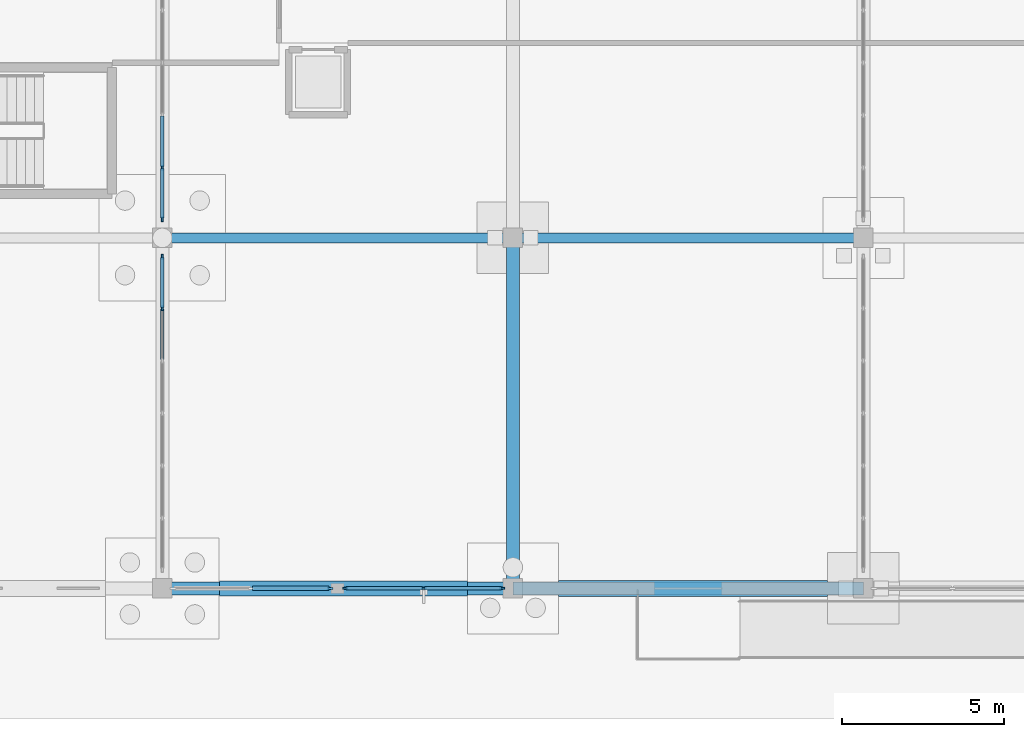
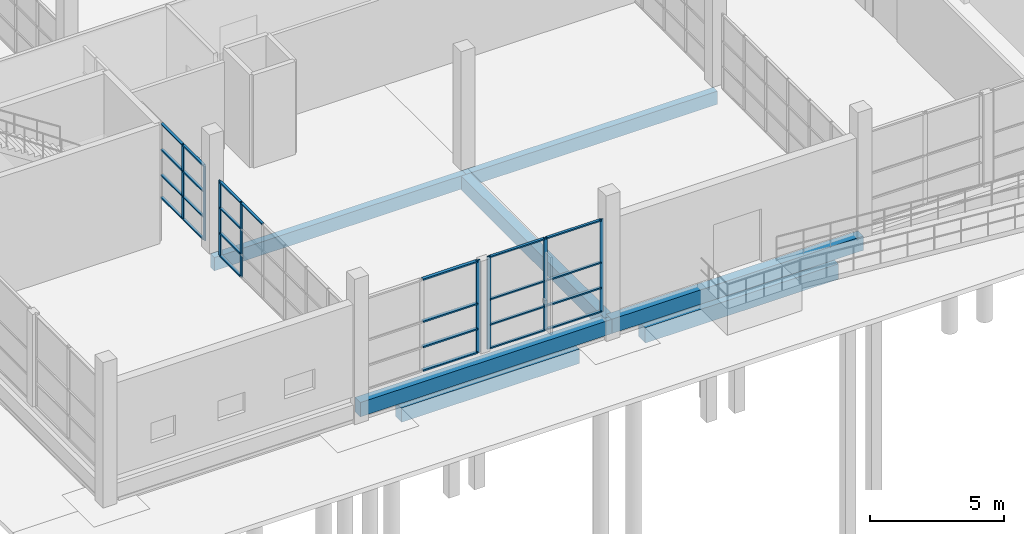
# One storey, part 16 of 138: 33 members, 7 beams, 4 elements without a shape of their own.
"""IFC4 building model written with IfcOpenShell, lengths in metres."""

from ifc_helpers import new_model, si_unit, direction, frame, origin, origin_2d, place, context, subcontext, project, spatial, rectangle, extrude, material, material_profile, profile_set, type_object, element, aggregate, save


model = new_model("IFC4")

# Units and contexts
model_context = context("Model", 3, precision=1e-05, world=origin(), true_north=direction((0.0, 1.0)))
body_context = subcontext(model_context, "Body", "Model", "MODEL_VIEW")
ifc_project = project(units=[si_unit("LENGTHUNIT", "METRE"), si_unit("AREAUNIT", "SQUARE_METRE"), si_unit("VOLUMEUNIT", "CUBIC_METRE"), si_unit("PLANEANGLEUNIT", "RADIAN"), si_unit("MASSUNIT", "GRAM", prefix="KILO")], contexts=[model_context])

# Site, building, storey
site_placement = place(None, origin())
site = spatial("IfcSite", under=ifc_project, at=site_placement, CompositionType="ELEMENT")
building_placement = place(site_placement, origin())
building = spatial("IfcBuilding", under=site, at=building_placement, Name="Zwinboog Wholesale Market", CompositionType="ELEMENT")
storey_placement = place(building_placement, origin())
storey = spatial("IfcBuildingStorey", under=building, at=storey_placement, Name="L00", CompositionType="ELEMENT", Elevation=0.0)

# Beams
ifc_material_1 = material(Name="Precast concrete C45/55", Category="concrete")
ifc_material_profile_1 = material_profile(ifc_material_1, rectangle(XDim=0.39990234375, YDim=0.64990234375, at=origin_2d()), Name="PC 400x650")
ifc_profile_set_1 = profile_set([ifc_material_profile_1], Name="Precast concrete C45/55")
beam_type_1 = type_object("IfcBeamType", Name="BT-05", PredefinedType="BEAM", material=ifc_profile_set_1)
beam_1_placement = place(storey_placement, frame((10.800048828125, 0.0, -0.680908203125), z_axis=(1.0, 0.0, 0.0), x_axis=(0.0, 1.0, 0.0)))
element("IfcBeam", 1, at=beam_1_placement, inside=storey, type_object=beam_type_1, Name="BG-05 (BMG-L00-0108-0000-0002)", PredefinedType="BEAM", context=body_context, shape_type="SweptSolid", body=[
    extrude(rectangle(XDim=0.39990234375, YDim=0.64990234375, at=origin_2d()), origin(), (0.0, 0.0, 1.0), 10.800048828125),
])
beam_2_placement = place(storey_placement, frame((21.60009765625, 0.0, -0.680908203125), z_axis=(1.0, 0.0, 0.0), x_axis=(0.0, 1.0, 0.0)))
element("IfcBeam", 2, at=beam_2_placement, inside=storey, type_object=beam_type_1, Name="BG-05 (BMG-L00-0216-0000-0003)", PredefinedType="BEAM", context=body_context, shape_type="SweptSolid", body=[
    extrude(rectangle(XDim=0.39990234375, YDim=0.64990234375, at=origin_2d()), origin(), (0.0, 0.0, 1.0), 10.7998046875),
])
beam_3_placement = place(storey_placement, frame((21.60009765625, 0.0, -0.680908203125), z_axis=(0.0, 1.0, 0.0), x_axis=(-1.0, 0.0, 0.0)))
element("IfcBeam", 3, at=beam_3_placement, inside=storey, type_object=beam_type_1, Name="BG-05 (BMG-L00-0216-0000-0235)", PredefinedType="BEAM", context=body_context, shape_type="SweptSolid", body=[
    extrude(rectangle(XDim=0.39990234375, YDim=0.64990234375, at=origin_2d()), origin(), (0.0, 0.0, 1.0), 10.800048828125),
])
ifc_material_profile_2 = material_profile(ifc_material_1, rectangle(XDim=0.300048828125, YDim=0.60009765625, at=origin_2d()), Name="PC 300x600")
ifc_profile_set_2 = profile_set([ifc_material_profile_2], Name="Precast concrete C45/55")
beam_type_2 = type_object("IfcBeamType", Name="BT-09", PredefinedType="SPANDREL", material=ifc_profile_set_2)
beam_4_placement = place(storey_placement, frame((10.800048828125, 10.800048828125, -0.656005859375), z_axis=(1.0, 0.0, 0.0), x_axis=(0.0, 1.0, 0.0)))
element("IfcBeam", 4, at=beam_4_placement, inside=storey, type_object=beam_type_2, Name="SP-02 (BMG-L00-0108-0108-0016)", PredefinedType="SPANDREL", context=body_context, shape_type="SweptSolid", body=[
    extrude(rectangle(XDim=0.300048828125, YDim=0.60009765625, at=origin_2d()), origin(), (0.0, 0.0, 1.0), 10.800048828125),
])
beam_5_placement = place(storey_placement, frame((21.60009765625, 10.800048828125, -0.656005859375), z_axis=(1.0, 0.0, 0.0), x_axis=(0.0, 1.0, 0.0)))
element("IfcBeam", 5, at=beam_5_placement, inside=storey, type_object=beam_type_2, Name="SP-02 (BMG-L00-0216-0108-0017)", PredefinedType="SPANDREL", context=body_context, shape_type="SweptSolid", body=[
    extrude(rectangle(XDim=0.300048828125, YDim=0.60009765625, at=origin_2d()), origin(), (0.0, 0.0, 1.0), 10.7998046875),
])
ifc_material_2 = material(Name="Concrete C35/45", Category="concrete")
ifc_material_profile_3 = material_profile(ifc_material_2, rectangle(XDim=0.5, YDim=0.699951171875, at=origin_2d()), Name="RC 500x700")
ifc_profile_set_3 = profile_set([ifc_material_profile_3], Name="Concrete C35/45")
beam_type_3 = type_object("IfcBeamType", Name="BT-12", PredefinedType="USERDEFINED", material=ifc_profile_set_3)
beam_6_placement = place(storey_placement, frame((23.0048828125, 0.0, -1.550048828125), z_axis=(1.0, 0.0, 0.0), x_axis=(0.0, 1.0, 0.0)))
element("IfcBeam", 6, at=beam_6_placement, inside=storey, type_object=beam_type_3, Name="GB-01 (BM-GB-0003)", ObjectType="GROUND_BEAM", PredefinedType="USERDEFINED", context=body_context, shape_type="SweptSolid", body=[
    extrude(rectangle(XDim=0.5, YDim=0.699951171875, at=origin_2d()), origin(), (0.0, 0.0, 1.0), 8.2900390625),
])
ifc_material_profile_4 = material_profile(ifc_material_2, rectangle(XDim=0.449951171875, YDim=0.64990234375, at=origin_2d()), Name="RC 450x650")
ifc_profile_set_4 = profile_set([ifc_material_profile_4], Name="Concrete C35/45")
beam_type_4 = type_object("IfcBeamType", Name="BT-13", PredefinedType="USERDEFINED", material=ifc_profile_set_4)
beam_7_placement = place(storey_placement, frame((12.554931640625, 0.0, -1.52490234375), z_axis=(1.0, 0.0, 0.0), x_axis=(0.0, 1.0, 0.0)))
element("IfcBeam", 7, at=beam_7_placement, inside=storey, type_object=beam_type_4, Name="GB-02 (BM-GB-0002)", ObjectType="GROUND_BEAM", PredefinedType="USERDEFINED", context=body_context, shape_type="SweptSolid", body=[
    extrude(rectangle(XDim=0.449951171875, YDim=0.64990234375, at=origin_2d()), origin(), (0.0, 0.0, 1.0), 7.64013671875),
])

# Curtain wall, member
ifc_material_3 = material(Name="Aluminium thermally broken curtain wall", Category="aluminium")
curtain_wall_type_1 = type_object("IfcCurtainWallType", Name="CWT-CAFE-22", PredefinedType="USERDEFINED", material=ifc_material_3)
curtain_wall_1_placement = place(storey_placement, origin())
curtain_wall_1 = element("IfcCurtainWall", 8, at=curtain_wall_1_placement, inside=storey, type_object=curtain_wall_type_1, Name="CW-05 (CW-L00-017)", ObjectType="STOREFRONT_GLAZING", PredefinedType="USERDEFINED")
ifc_material_4 = material(Name="Aluminium EN AW-6060", Category="aluminium")
ifc_material_profile_5 = material_profile(ifc_material_4, rectangle(XDim=0.06494140625, YDim=0.179931640625, at=origin_2d()), Name="AL 65x180")
ifc_profile_set_5 = profile_set([ifc_material_profile_5], Name="Aluminium EN AW-6060")
member_type_1 = type_object("IfcMemberType", Name="CWM-65x180", PredefinedType="MULLION", material=ifc_profile_set_5)
member_1_placement = place(storey_placement, frame((15.967529296875, 0.0, 0.0), z_axis=(0.0, 0.0, 1.0), x_axis=(0.0, 1.0, 0.0)))
member_1 = element("IfcMember", 9, at=member_1_placement, type_object=member_type_1, Name="CW-05 mullion 3", PredefinedType="MULLION", context=body_context, shape_type="SweptSolid", body=[
    extrude(rectangle(XDim=0.06494140625, YDim=0.179931640625, at=origin_2d()), origin(), (0.0, 0.0, 1.0), 4.197998046875),
])

# Curtain wall, members
curtain_wall_type_2 = type_object("IfcCurtainWallType", Name="CWT-OFF-15", PredefinedType="USERDEFINED", material=ifc_material_3)
curtain_wall_2_placement = place(storey_placement, origin())
curtain_wall_2 = element("IfcCurtainWall", 10, at=curtain_wall_2_placement, inside=storey, type_object=curtain_wall_type_2, Name="CW-06 (CW-L00-018)", ObjectType="UNITIZED_CURTAIN_WALL", PredefinedType="USERDEFINED")
ifc_material_profile_6 = material_profile(ifc_material_4, rectangle(XDim=0.06005859375, YDim=0.14990234375, at=origin_2d()), Name="AL 60x150")
ifc_profile_set_6 = profile_set([ifc_material_profile_6], Name="Aluminium EN AW-6060")
member_type_2 = type_object("IfcMemberType", Name="CWM-60x150", PredefinedType="MULLION", material=ifc_profile_set_6)
member_2_placement = place(storey_placement, frame((16.429931640625, 0.0, 0.0), z_axis=(0.0, 0.0, 1.0), x_axis=(0.0, 1.0, 0.0)))
member_2 = element("IfcMember", 11, at=member_2_placement, type_object=member_type_2, Name="CW-06 mullion 1", PredefinedType="MULLION", context=body_context, shape_type="SweptSolid", body=[
    extrude(rectangle(XDim=0.06005859375, YDim=0.14990234375, at=origin_2d()), origin(), (0.0, 0.0, 1.0), 4.197998046875),
])
member_3_placement = place(storey_placement, frame((18.8525390625, 0.0, 0.0), z_axis=(0.0, 0.0, 1.0), x_axis=(0.0, 1.0, 0.0)))
member_3 = element("IfcMember", 12, at=member_3_placement, type_object=member_type_2, Name="CW-06 mullion 2", PredefinedType="MULLION", context=body_context, shape_type="SweptSolid", body=[
    extrude(rectangle(XDim=0.06005859375, YDim=0.14990234375, at=origin_2d()), origin(), (0.0, 0.0, 1.0), 4.197998046875),
])
member_4_placement = place(storey_placement, frame((21.27490234375, 0.0, 0.0), z_axis=(0.0, 0.0, 1.0), x_axis=(0.0, 1.0, 0.0)))
member_4 = element("IfcMember", 13, at=member_4_placement, type_object=member_type_2, Name="CW-06 mullion 3", PredefinedType="MULLION", context=body_context, shape_type="SweptSolid", body=[
    extrude(rectangle(XDim=0.06005859375, YDim=0.14990234375, at=origin_2d()), origin(), (0.0, 0.0, 1.0), 4.197998046875),
])

# Member
ifc_material_profile_7 = material_profile(ifc_material_4, rectangle(XDim=0.139892578125, YDim=0.06494140625, at=origin_2d()), Name="AL 65x140")
ifc_profile_set_7 = profile_set([ifc_material_profile_7], Name="Aluminium EN AW-6060")
member_type_3 = type_object("IfcMemberType", Name="CWT-65x140", PredefinedType="USERDEFINED", material=ifc_profile_set_7)
member_5_placement = place(storey_placement, frame((13.580078125, 0.0, 0.032470703125), z_axis=(1.0, 0.0, 0.0), x_axis=(0.0, 1.0, 0.0)))
member_5 = element("IfcMember", 14, at=member_5_placement, type_object=member_type_3, Name="CW-05 transom 2.1", ObjectType="TRANSOM", PredefinedType="USERDEFINED", context=body_context, shape_type="SweptSolid", body=[
    extrude(rectangle(XDim=0.139892578125, YDim=0.06494140625, at=origin_2d()), origin(), (0.0, 0.0, 1.0), 2.35498046875),
])

member_6_placement = place(storey_placement, frame((13.580078125, 0.0, 1.10009765625), z_axis=(1.0, 0.0, 0.0), x_axis=(0.0, 1.0, 0.0)))
member_6 = element("IfcMember", 15, at=member_6_placement, type_object=member_type_3, Name="CW-05 transom 2.2", ObjectType="TRANSOM", PredefinedType="USERDEFINED", context=body_context, shape_type="SweptSolid", body=[
    extrude(rectangle(XDim=0.139892578125, YDim=0.06494140625, at=origin_2d()), origin(), (0.0, 0.0, 1.0), 2.35498046875),
])

member_7_placement = place(storey_placement, frame((13.580078125, 0.0, 2.25), z_axis=(1.0, 0.0, 0.0), x_axis=(0.0, 1.0, 0.0)))
member_7 = element("IfcMember", 16, at=member_7_placement, type_object=member_type_3, Name="CW-05 transom 2.3", ObjectType="TRANSOM", PredefinedType="USERDEFINED", context=body_context, shape_type="SweptSolid", body=[
    extrude(rectangle(XDim=0.139892578125, YDim=0.06494140625, at=origin_2d()), origin(), (0.0, 0.0, 1.0), 2.35498046875),
])

member_8_placement = place(storey_placement, frame((13.580078125, 0.0, 4.16552734375), z_axis=(1.0, 0.0, 0.0), x_axis=(0.0, 1.0, 0.0)))
member_8 = element("IfcMember", 17, at=member_8_placement, type_object=member_type_3, Name="CW-05 transom 2.4", ObjectType="TRANSOM", PredefinedType="USERDEFINED", context=body_context, shape_type="SweptSolid", body=[
    extrude(rectangle(XDim=0.139892578125, YDim=0.06494140625, at=origin_2d()), origin(), (0.0, 0.0, 1.0), 2.35498046875),
])

aggregate(curtain_wall_1, [member_1, member_5, member_6, member_7, member_8])

ifc_material_profile_8 = material_profile(ifc_material_4, rectangle(XDim=0.110107421875, YDim=0.06005859375, at=origin_2d()), Name="AL 60x110")
ifc_profile_set_8 = profile_set([ifc_material_profile_8], Name="Aluminium EN AW-6060")
member_type_4 = type_object("IfcMemberType", Name="CWT-60x110", PredefinedType="USERDEFINED", material=ifc_profile_set_8)
member_9_placement = place(storey_placement, frame((16.4599609375, 0.0, 0.030029296875), z_axis=(1.0, 0.0, 0.0), x_axis=(0.0, 1.0, 0.0)))
member_9 = element("IfcMember", 18, at=member_9_placement, type_object=member_type_4, Name="CW-06 transom 1.1", ObjectType="TRANSOM", PredefinedType="USERDEFINED", context=body_context, shape_type="SweptSolid", body=[
    extrude(rectangle(XDim=0.110107421875, YDim=0.06005859375, at=origin_2d()), origin(), (0.0, 0.0, 1.0), 2.362548828125),
])

member_10_placement = place(storey_placement, frame((16.4599609375, 0.0, 1.10009765625), z_axis=(1.0, 0.0, 0.0), x_axis=(0.0, 1.0, 0.0)))
member_10 = element("IfcMember", 19, at=member_10_placement, type_object=member_type_4, Name="CW-06 transom 1.2", ObjectType="TRANSOM", PredefinedType="USERDEFINED", context=body_context, shape_type="SweptSolid", body=[
    extrude(rectangle(XDim=0.110107421875, YDim=0.06005859375, at=origin_2d()), origin(), (0.0, 0.0, 1.0), 2.362548828125),
])

member_11_placement = place(storey_placement, frame((16.4599609375, 0.0, 2.25), z_axis=(1.0, 0.0, 0.0), x_axis=(0.0, 1.0, 0.0)))
member_11 = element("IfcMember", 20, at=member_11_placement, type_object=member_type_4, Name="CW-06 transom 1.3", ObjectType="TRANSOM", PredefinedType="USERDEFINED", context=body_context, shape_type="SweptSolid", body=[
    extrude(rectangle(XDim=0.110107421875, YDim=0.06005859375, at=origin_2d()), origin(), (0.0, 0.0, 1.0), 2.362548828125),
])

member_12_placement = place(storey_placement, frame((16.4599609375, 0.0, 4.16796875), z_axis=(1.0, 0.0, 0.0), x_axis=(0.0, 1.0, 0.0)))
member_12 = element("IfcMember", 21, at=member_12_placement, type_object=member_type_4, Name="CW-06 transom 1.4", ObjectType="TRANSOM", PredefinedType="USERDEFINED", context=body_context, shape_type="SweptSolid", body=[
    extrude(rectangle(XDim=0.110107421875, YDim=0.06005859375, at=origin_2d()), origin(), (0.0, 0.0, 1.0), 2.362548828125),
])

member_13_placement = place(storey_placement, frame((18.882568359375, 0.0, 0.030029296875), z_axis=(1.0, 0.0, 0.0), x_axis=(0.0, 1.0, 0.0)))
member_13 = element("IfcMember", 22, at=member_13_placement, type_object=member_type_4, Name="CW-06 transom 2.1", ObjectType="TRANSOM", PredefinedType="USERDEFINED", context=body_context, shape_type="SweptSolid", body=[
    extrude(rectangle(XDim=0.110107421875, YDim=0.06005859375, at=origin_2d()), origin(), (0.0, 0.0, 1.0), 2.362548828125),
])

member_14_placement = place(storey_placement, frame((18.882568359375, 0.0, 1.10009765625), z_axis=(1.0, 0.0, 0.0), x_axis=(0.0, 1.0, 0.0)))
member_14 = element("IfcMember", 23, at=member_14_placement, type_object=member_type_4, Name="CW-06 transom 2.2", ObjectType="TRANSOM", PredefinedType="USERDEFINED", context=body_context, shape_type="SweptSolid", body=[
    extrude(rectangle(XDim=0.110107421875, YDim=0.06005859375, at=origin_2d()), origin(), (0.0, 0.0, 1.0), 2.362548828125),
])

member_15_placement = place(storey_placement, frame((18.882568359375, 0.0, 2.25), z_axis=(1.0, 0.0, 0.0), x_axis=(0.0, 1.0, 0.0)))
member_15 = element("IfcMember", 24, at=member_15_placement, type_object=member_type_4, Name="CW-06 transom 2.3", ObjectType="TRANSOM", PredefinedType="USERDEFINED", context=body_context, shape_type="SweptSolid", body=[
    extrude(rectangle(XDim=0.110107421875, YDim=0.06005859375, at=origin_2d()), origin(), (0.0, 0.0, 1.0), 2.362548828125),
])

member_16_placement = place(storey_placement, frame((18.882568359375, 0.0, 4.16796875), z_axis=(1.0, 0.0, 0.0), x_axis=(0.0, 1.0, 0.0)))
member_16 = element("IfcMember", 25, at=member_16_placement, type_object=member_type_4, Name="CW-06 transom 2.4", ObjectType="TRANSOM", PredefinedType="USERDEFINED", context=body_context, shape_type="SweptSolid", body=[
    extrude(rectangle(XDim=0.110107421875, YDim=0.06005859375, at=origin_2d()), origin(), (0.0, 0.0, 1.0), 2.362548828125),
])

aggregate(curtain_wall_2, [member_2, member_3, member_4, member_9, member_10, member_11, member_12, member_13, member_14, member_15, member_16])

# Curtain wall, members
curtain_wall_type_3 = type_object("IfcCurtainWallType", Name="CWT-INT-STALL", PredefinedType="USERDEFINED", material=ifc_material_3)
curtain_wall_3_placement = place(storey_placement, origin())
curtain_wall_3 = element("IfcCurtainWall", 26, at=curtain_wall_3_placement, inside=storey, type_object=curtain_wall_type_3, Name="CW-07 (CW-STL-209)", ObjectType="STOREFRONT_GLAZING", PredefinedType="USERDEFINED")
ifc_material_profile_9 = material_profile(ifc_material_4, rectangle(XDim=0.06005859375, YDim=0.14990234375, at=origin_2d()), Name="AL 60x150")
ifc_profile_set_9 = profile_set([ifc_material_profile_9], Name="Aluminium EN AW-6060")
member_type_5 = type_object("IfcMemberType", Name="CWM-INT-60x120", PredefinedType="MULLION", material=ifc_profile_set_9)
member_17_placement = place(storey_placement, frame((10.800048828125, 8.63330078125, 0.0), z_axis=(0.0, 0.0, 1.0), x_axis=(-1.0, 0.0, 0.0)))
member_17 = element("IfcMember", 27, at=member_17_placement, type_object=member_type_5, Name="CW-07 mullion 6", PredefinedType="MULLION", context=body_context, shape_type="SweptSolid", body=[
    extrude(rectangle(XDim=0.06005859375, YDim=0.14990234375, at=origin_2d()), origin(), (0.0, 0.0, 1.0), 3.39990234375),
])
member_18_placement = place(storey_placement, frame((10.800048828125, 10.219970703125, 0.0), z_axis=(0.0, 0.0, 1.0), x_axis=(-1.0, 0.0, 0.0)))
member_18 = element("IfcMember", 28, at=member_18_placement, type_object=member_type_5, Name="CW-07 mullion 7", PredefinedType="MULLION", context=body_context, shape_type="SweptSolid", body=[
    extrude(rectangle(XDim=0.06005859375, YDim=0.14990234375, at=origin_2d()), origin(), (0.0, 0.0, 1.0), 3.39990234375),
])

curtain_wall_4_placement = place(storey_placement, origin())
curtain_wall_4 = element("IfcCurtainWall", 29, at=curtain_wall_4_placement, inside=storey, type_object=curtain_wall_type_3, Name="CW-07 (CW-STL-210)", ObjectType="STOREFRONT_GLAZING", PredefinedType="USERDEFINED")
member_19_placement = place(storey_placement, frame((10.800048828125, 11.3798828125, 0.0), z_axis=(0.0, 0.0, 1.0), x_axis=(-1.0, 0.0, 0.0)))
member_19 = element("IfcMember", 30, at=member_19_placement, type_object=member_type_5, Name="CW-07 mullion 1", PredefinedType="MULLION", context=body_context, shape_type="SweptSolid", body=[
    extrude(rectangle(XDim=0.06005859375, YDim=0.14990234375, at=origin_2d()), origin(), (0.0, 0.0, 1.0), 3.39990234375),
])
member_20_placement = place(storey_placement, frame((10.800048828125, 12.966552734375, 0.0), z_axis=(0.0, 0.0, 1.0), x_axis=(-1.0, 0.0, 0.0)))
member_20 = element("IfcMember", 31, at=member_20_placement, type_object=member_type_5, Name="CW-07 mullion 2", PredefinedType="MULLION", context=body_context, shape_type="SweptSolid", body=[
    extrude(rectangle(XDim=0.06005859375, YDim=0.14990234375, at=origin_2d()), origin(), (0.0, 0.0, 1.0), 3.39990234375),
])

# Member
ifc_material_profile_10 = material_profile(ifc_material_4, rectangle(XDim=0.110107421875, YDim=0.06005859375, at=origin_2d()), Name="AL 60x110")
ifc_profile_set_10 = profile_set([ifc_material_profile_10], Name="Aluminium EN AW-6060")
member_type_6 = type_object("IfcMemberType", Name="CWT-INT-60x100", PredefinedType="USERDEFINED", material=ifc_profile_set_10)
member_21_placement = place(storey_placement, frame((10.800048828125, 7.046630859375, 3.3701171875), z_axis=(0.0, 1.0, 0.0), x_axis=(-1.0, 0.0, 0.0)))
member_21 = element("IfcMember", 32, at=member_21_placement, type_object=member_type_6, Name="CW-07 transom 5.4", ObjectType="TRANSOM", PredefinedType="USERDEFINED", context=body_context, shape_type="SweptSolid", body=[
    extrude(rectangle(XDim=0.110107421875, YDim=0.06005859375, at=origin_2d()), origin(), (0.0, 0.0, 1.0), 1.556640625),
])

member_22_placement = place(storey_placement, frame((10.800048828125, 8.663330078125, 0.030029296875), z_axis=(0.0, 1.0, 0.0), x_axis=(-1.0, 0.0, 0.0)))
member_22 = element("IfcMember", 33, at=member_22_placement, type_object=member_type_6, Name="CW-07 transom 6.1", ObjectType="TRANSOM", PredefinedType="USERDEFINED", context=body_context, shape_type="SweptSolid", body=[
    extrude(rectangle(XDim=0.110107421875, YDim=0.06005859375, at=origin_2d()), origin(), (0.0, 0.0, 1.0), 1.526611328125),
])

member_23_placement = place(storey_placement, frame((10.800048828125, 8.663330078125, 1.050048828125), z_axis=(0.0, 1.0, 0.0), x_axis=(-1.0, 0.0, 0.0)))
member_23 = element("IfcMember", 34, at=member_23_placement, type_object=member_type_6, Name="CW-07 transom 6.2", ObjectType="TRANSOM", PredefinedType="USERDEFINED", context=body_context, shape_type="SweptSolid", body=[
    extrude(rectangle(XDim=0.110107421875, YDim=0.06005859375, at=origin_2d()), origin(), (0.0, 0.0, 1.0), 1.526611328125),
])

member_24_placement = place(storey_placement, frame((10.800048828125, 8.663330078125, 2.199951171875), z_axis=(0.0, 1.0, 0.0), x_axis=(-1.0, 0.0, 0.0)))
member_24 = element("IfcMember", 35, at=member_24_placement, type_object=member_type_6, Name="CW-07 transom 6.3", ObjectType="TRANSOM", PredefinedType="USERDEFINED", context=body_context, shape_type="SweptSolid", body=[
    extrude(rectangle(XDim=0.110107421875, YDim=0.06005859375, at=origin_2d()), origin(), (0.0, 0.0, 1.0), 1.526611328125),
])

member_25_placement = place(storey_placement, frame((10.800048828125, 8.663330078125, 3.3701171875), z_axis=(0.0, 1.0, 0.0), x_axis=(-1.0, 0.0, 0.0)))
member_25 = element("IfcMember", 36, at=member_25_placement, type_object=member_type_6, Name="CW-07 transom 6.4", ObjectType="TRANSOM", PredefinedType="USERDEFINED", context=body_context, shape_type="SweptSolid", body=[
    extrude(rectangle(XDim=0.110107421875, YDim=0.06005859375, at=origin_2d()), origin(), (0.0, 0.0, 1.0), 1.526611328125),
])

aggregate(curtain_wall_3, [member_17, member_18, member_21, member_22, member_23, member_24, member_25])

member_26_placement = place(storey_placement, frame((10.800048828125, 11.409912109375, 0.030029296875), z_axis=(0.0, 1.0, 0.0), x_axis=(-1.0, 0.0, 0.0)))
member_26 = element("IfcMember", 37, at=member_26_placement, type_object=member_type_6, Name="CW-07 transom 1.1", ObjectType="TRANSOM", PredefinedType="USERDEFINED", context=body_context, shape_type="SweptSolid", body=[
    extrude(rectangle(XDim=0.110107421875, YDim=0.06005859375, at=origin_2d()), origin(), (0.0, 0.0, 1.0), 1.52685546875),
])

member_27_placement = place(storey_placement, frame((10.800048828125, 11.409912109375, 1.050048828125), z_axis=(0.0, 1.0, 0.0), x_axis=(-1.0, 0.0, 0.0)))
member_27 = element("IfcMember", 38, at=member_27_placement, type_object=member_type_6, Name="CW-07 transom 1.2", ObjectType="TRANSOM", PredefinedType="USERDEFINED", context=body_context, shape_type="SweptSolid", body=[
    extrude(rectangle(XDim=0.110107421875, YDim=0.06005859375, at=origin_2d()), origin(), (0.0, 0.0, 1.0), 1.52685546875),
])

member_28_placement = place(storey_placement, frame((10.800048828125, 11.409912109375, 2.199951171875), z_axis=(0.0, 1.0, 0.0), x_axis=(-1.0, 0.0, 0.0)))
member_28 = element("IfcMember", 39, at=member_28_placement, type_object=member_type_6, Name="CW-07 transom 1.3", ObjectType="TRANSOM", PredefinedType="USERDEFINED", context=body_context, shape_type="SweptSolid", body=[
    extrude(rectangle(XDim=0.110107421875, YDim=0.06005859375, at=origin_2d()), origin(), (0.0, 0.0, 1.0), 1.52685546875),
])

member_29_placement = place(storey_placement, frame((10.800048828125, 11.409912109375, 3.3701171875), z_axis=(0.0, 1.0, 0.0), x_axis=(-1.0, 0.0, 0.0)))
member_29 = element("IfcMember", 40, at=member_29_placement, type_object=member_type_6, Name="CW-07 transom 1.4", ObjectType="TRANSOM", PredefinedType="USERDEFINED", context=body_context, shape_type="SweptSolid", body=[
    extrude(rectangle(XDim=0.110107421875, YDim=0.06005859375, at=origin_2d()), origin(), (0.0, 0.0, 1.0), 1.52685546875),
])

member_30_placement = place(storey_placement, frame((10.800048828125, 12.99658203125, 0.030029296875), z_axis=(0.0, 1.0, 0.0), x_axis=(-1.0, 0.0, 0.0)))
member_30 = element("IfcMember", 41, at=member_30_placement, type_object=member_type_6, Name="CW-07 transom 2.1", ObjectType="TRANSOM", PredefinedType="USERDEFINED", context=body_context, shape_type="SweptSolid", body=[
    extrude(rectangle(XDim=0.110107421875, YDim=0.06005859375, at=origin_2d()), origin(), (0.0, 0.0, 1.0), 1.556640625),
])

member_31_placement = place(storey_placement, frame((10.800048828125, 12.99658203125, 1.050048828125), z_axis=(0.0, 1.0, 0.0), x_axis=(-1.0, 0.0, 0.0)))
member_31 = element("IfcMember", 42, at=member_31_placement, type_object=member_type_6, Name="CW-07 transom 2.2", ObjectType="TRANSOM", PredefinedType="USERDEFINED", context=body_context, shape_type="SweptSolid", body=[
    extrude(rectangle(XDim=0.110107421875, YDim=0.06005859375, at=origin_2d()), origin(), (0.0, 0.0, 1.0), 1.556640625),
])

member_32_placement = place(storey_placement, frame((10.800048828125, 12.99658203125, 2.199951171875), z_axis=(0.0, 1.0, 0.0), x_axis=(-1.0, 0.0, 0.0)))
member_32 = element("IfcMember", 43, at=member_32_placement, type_object=member_type_6, Name="CW-07 transom 2.3", ObjectType="TRANSOM", PredefinedType="USERDEFINED", context=body_context, shape_type="SweptSolid", body=[
    extrude(rectangle(XDim=0.110107421875, YDim=0.06005859375, at=origin_2d()), origin(), (0.0, 0.0, 1.0), 1.556640625),
])

member_33_placement = place(storey_placement, frame((10.800048828125, 12.99658203125, 3.3701171875), z_axis=(0.0, 1.0, 0.0), x_axis=(-1.0, 0.0, 0.0)))
member_33 = element("IfcMember", 44, at=member_33_placement, type_object=member_type_6, Name="CW-07 transom 2.4", ObjectType="TRANSOM", PredefinedType="USERDEFINED", context=body_context, shape_type="SweptSolid", body=[
    extrude(rectangle(XDim=0.110107421875, YDim=0.06005859375, at=origin_2d()), origin(), (0.0, 0.0, 1.0), 1.556640625),
])

aggregate(curtain_wall_4, [member_19, member_20, member_26, member_27, member_28, member_29, member_30, member_31, member_32, member_33])

save(model, "model.ifc")
